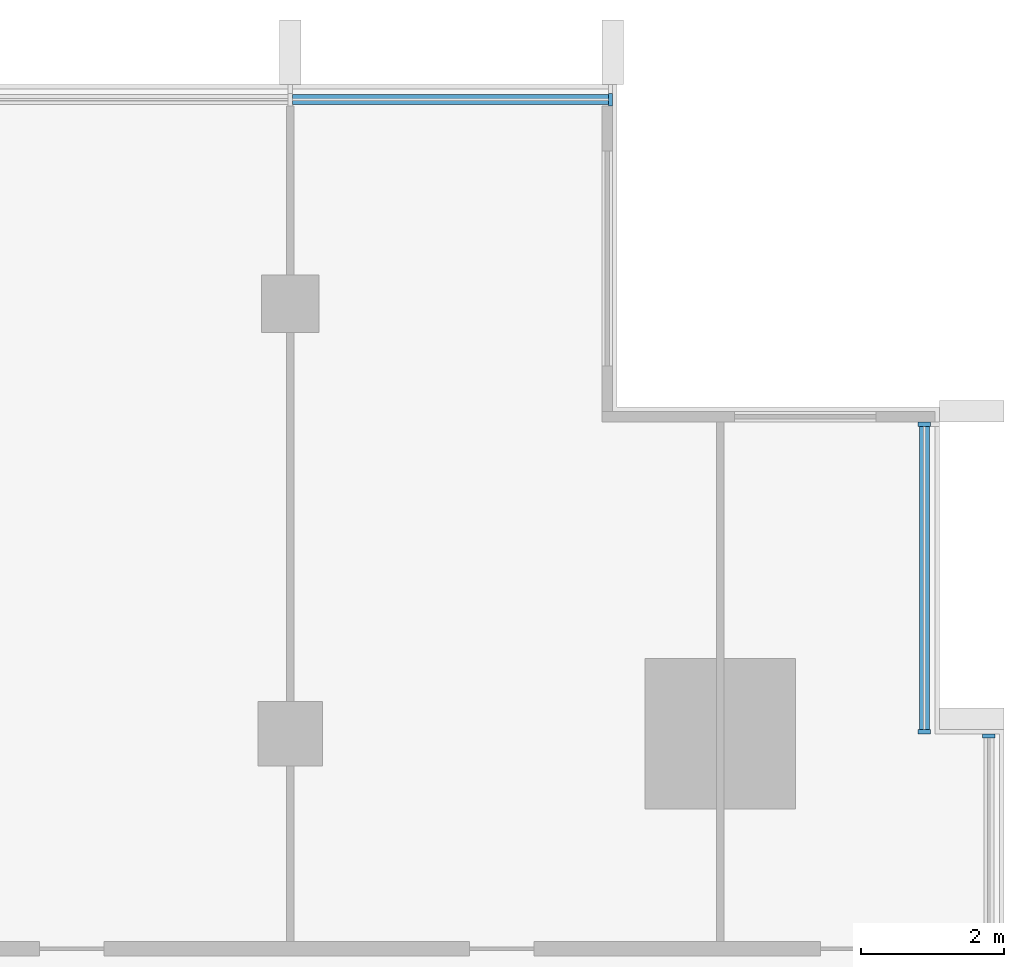
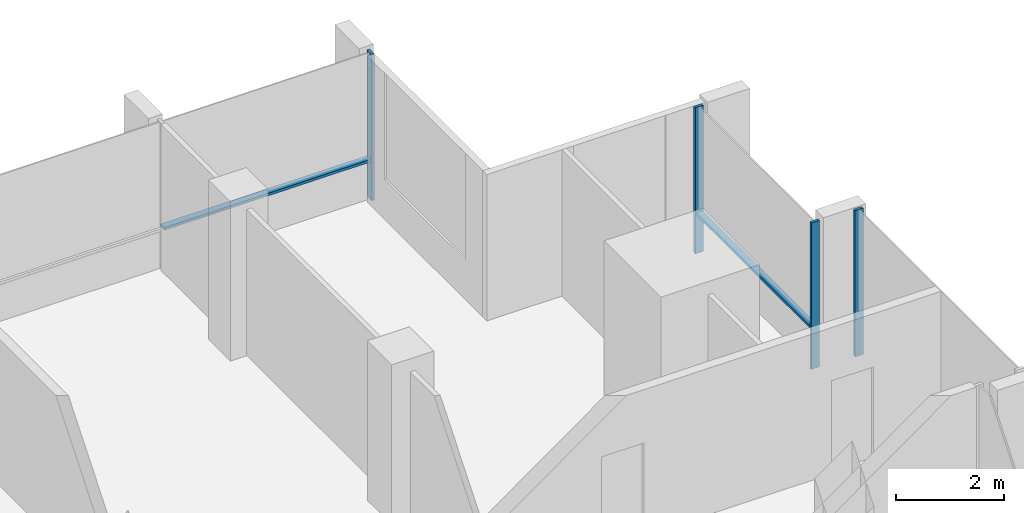
# One storey, part 5 of 15: 6 members, 3 elements without a shape of their own.
"""IFC4 building model written with IfcOpenShell, lengths in metres."""

from ifc_helpers import new_model, si_unit, direction, frame, origin, origin_2d, place, context, subcontext, project, spatial, rectangle, extrude, material, material_profile, profile_set, type_object, element, aggregate, save


model = new_model("IFC4")

# Units and contexts
model_context = context("Model", 3, precision=1e-05, world=origin(), true_north=direction((0.0, 1.0)))
body_context = subcontext(model_context, "Body", "Model", "MODEL_VIEW")
ifc_project = project(units=[si_unit("LENGTHUNIT", "METRE"), si_unit("AREAUNIT", "SQUARE_METRE"), si_unit("VOLUMEUNIT", "CUBIC_METRE"), si_unit("PLANEANGLEUNIT", "RADIAN"), si_unit("MASSUNIT", "GRAM", prefix="KILO")], contexts=[model_context])

# Site, building, storey
site_placement = place(None, origin())
site = spatial("IfcSite", under=ifc_project, at=site_placement, CompositionType="ELEMENT")
building_placement = place(site_placement, origin())
building = spatial("IfcBuilding", under=site, at=building_placement, Name="Finial Court Residences", CompositionType="ELEMENT")
storey_placement = place(building_placement, frame((0.0, 0.0, 226.699951171875)))
storey = spatial("IfcBuildingStorey", under=building, at=storey_placement, Name="L57", CompositionType="ELEMENT", Elevation=226.699951171875)

# Curtain wall, member
ifc_material = material(Name="Bronze anodised aluminium", Category="aluminium")
curtain_wall_type = type_object("IfcCurtainWallType", Name="Unitised curtain wall, upper zones", PredefinedType="NOTDEFINED", material=ifc_material)
curtain_wall_1_placement = place(storey_placement, origin())
curtain_wall_1 = element("IfcCurtainWall", 1, at=curtain_wall_1_placement, inside=storey, type_object=curtain_wall_type, Name="E-L57-CW-N3", PredefinedType="NOTDEFINED")
ifc_material_profile_1 = material_profile(ifc_material, rectangle(XDim=0.175048828125, YDim=0.06005859375, at=origin_2d()), Name="CW2 mullion 60 x 175")
ifc_profile_set_1 = profile_set([ifc_material_profile_1], Name="Bronze anodised aluminium")
member_type_1 = type_object("IfcMemberType", Name="CW2 mullion 60 x 175", PredefinedType="MULLION", material=ifc_profile_set_1)
member_1_placement = place(storey_placement, frame((14.969970703125, 16.35009765625, 0.0), z_axis=(0.0, 0.0, 1.0), x_axis=(0.0, 1.0, 0.0)))
member_1 = element("IfcMember", 2, at=member_1_placement, type_object=member_type_1, Name="CW2 mullion 3", PredefinedType="MULLION", context=body_context, shape_type="SweptSolid", body=[
    extrude(rectangle(XDim=0.175048828125, YDim=0.06005859375, at=origin_2d()), origin(), (0.0, 0.0, 1.0), 3.300048828125),
])

curtain_wall_2_placement = place(storey_placement, origin())
curtain_wall_2 = element("IfcCurtainWall", 3, at=curtain_wall_2_placement, inside=storey, type_object=curtain_wall_type, Name="E-L57-CW-E5", PredefinedType="NOTDEFINED")
member_2_placement = place(storey_placement, frame((20.25, 7.469970703125, 0.0), z_axis=(0.0, 0.0, 1.0), x_axis=(-1.0, 0.0, 0.0)))
member_2 = element("IfcMember", 4, at=member_2_placement, type_object=member_type_1, Name="CW2 mullion 2", PredefinedType="MULLION", context=body_context, shape_type="SweptSolid", body=[
    extrude(rectangle(XDim=0.175048828125, YDim=0.06005859375, at=origin_2d()), origin(), (0.0, 0.0, 1.0), 3.300048828125),
])
aggregate(curtain_wall_2, [member_2])

# Curtain wall, members
curtain_wall_3_placement = place(storey_placement, origin())
curtain_wall_3 = element("IfcCurtainWall", 5, at=curtain_wall_3_placement, inside=storey, type_object=curtain_wall_type, Name="E-L57-CW-E6", PredefinedType="NOTDEFINED")
member_3_placement = place(storey_placement, frame((19.35009765625, 7.530029296875, 0.0), z_axis=(0.0, 0.0, 1.0), x_axis=(-1.0, 0.0, 0.0)))
member_3 = element("IfcMember", 6, at=member_3_placement, type_object=member_type_1, Name="CW2 mullion 1", PredefinedType="MULLION", context=body_context, shape_type="SweptSolid", body=[
    extrude(rectangle(XDim=0.175048828125, YDim=0.06005859375, at=origin_2d()), origin(), (0.0, 0.0, 1.0), 3.300048828125),
])
member_4_placement = place(storey_placement, frame((19.35009765625, 11.820068359375, 0.0), z_axis=(0.0, 0.0, 1.0), x_axis=(-1.0, 0.0, 0.0)))
member_4 = element("IfcMember", 7, at=member_4_placement, type_object=member_type_1, Name="CW2 mullion 2", PredefinedType="MULLION", context=body_context, shape_type="SweptSolid", body=[
    extrude(rectangle(XDim=0.175048828125, YDim=0.06005859375, at=origin_2d()), origin(), (0.0, 0.0, 1.0), 3.300048828125),
])

# Member
ifc_material_profile_2 = material_profile(ifc_material, rectangle(XDim=0.139892578125, YDim=0.06005859375, at=origin_2d()), Name="CW2 transom 60 x 140")
ifc_profile_set_2 = profile_set([ifc_material_profile_2], Name="Bronze anodised aluminium")
member_type_2 = type_object("IfcMemberType", Name="CW2 transom 60 x 140", PredefinedType="USERDEFINED", material=ifc_profile_set_2)
member_5_placement = place(storey_placement, frame((10.530029296875, 16.35009765625, 0.900146484375), z_axis=(1.0, 0.0, 0.0), x_axis=(0.0, 1.0, 0.0)))
member_5 = element("IfcMember", 8, at=member_5_placement, type_object=member_type_2, Name="CW2 transom 2.1", ObjectType="TRANSOM", PredefinedType="USERDEFINED", context=body_context, shape_type="SweptSolid", body=[
    extrude(rectangle(XDim=0.139892578125, YDim=0.06005859375, at=origin_2d()), origin(), (0.0, 0.0, 1.0), 4.409912109375),
])

aggregate(curtain_wall_1, [member_1, member_5])

member_6_placement = place(storey_placement, frame((19.35009765625, 7.56005859375, 0.900146484375), z_axis=(0.0, 1.0, 0.0), x_axis=(-1.0, 0.0, 0.0)))
member_6 = element("IfcMember", 9, at=member_6_placement, type_object=member_type_2, Name="CW2 transom 1.1", ObjectType="TRANSOM", PredefinedType="USERDEFINED", context=body_context, shape_type="SweptSolid", body=[
    extrude(rectangle(XDim=0.139892578125, YDim=0.06005859375, at=origin_2d()), origin(), (0.0, 0.0, 1.0), 4.22998046875),
])

aggregate(curtain_wall_3, [member_3, member_4, member_6])

save(model, "model.ifc")
